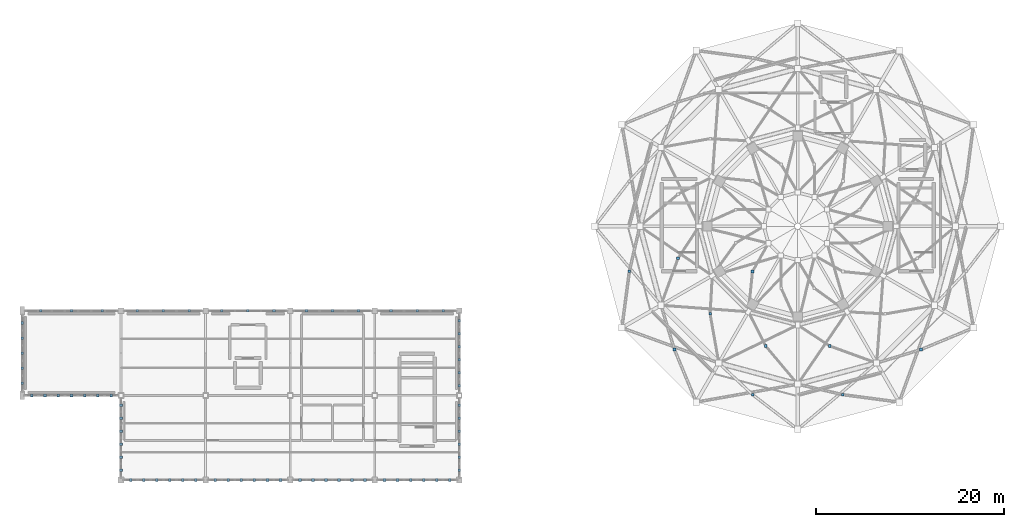
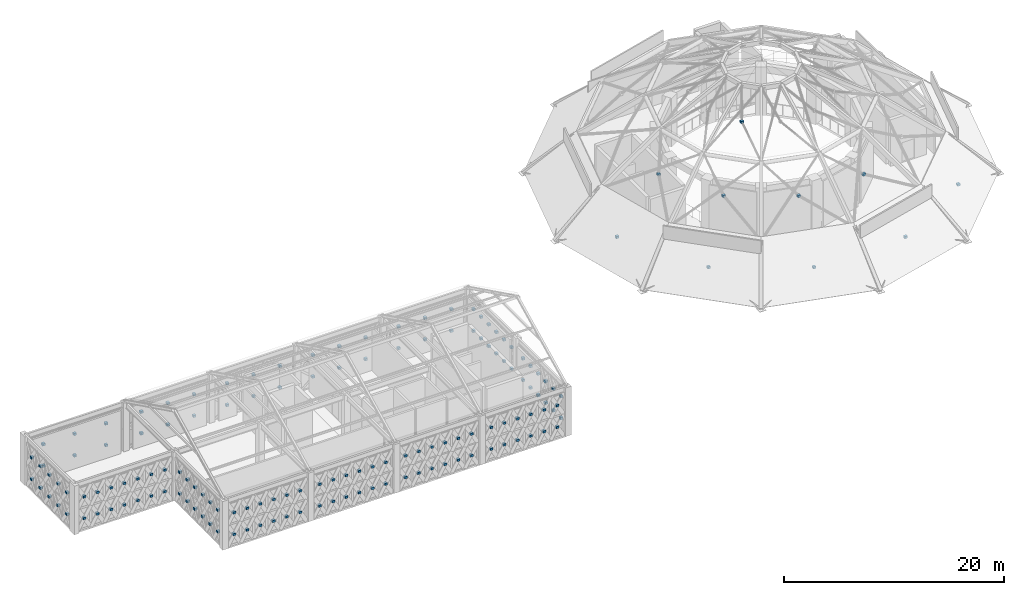
# One storey, part 30 of 32: 148 discrete accessories.
"""IFC4 building model written with IfcOpenShell, lengths in metres."""

import ifcopenshell
import ifcopenshell.guid

model = None  # the IFC model being written
_history = None  # IfcOwnerHistory: only IFC2X3 demands one
_inside = {}  # id of a spatial element -> (the spatial element, [elements in it])
_under = {}  # id of a project, library or spatial element -> (it, [spatial elements below it])
_declared = {}  # id of a project -> (the project, [libraries it declares])
_typed = {}  # id of a type object -> (the type object, [elements of that type])
_made_of = {}  # id of a material, layer set ... -> (it, [elements and type objects made of it])


def new_model(schema):
    """Start an empty IFC model of exactly this schema.

    Asked for "IFC4X3", IfcOpenShell would pick the latest addendum, in which some entities
    have other attributes; the version numbers below select the first issue.
    IFC2X3 requires an IfcOwnerHistory on every rooted entity: one is made here for all.
    """
    global model, _history
    if schema == "IFC4X3":
        model = ifcopenshell.file(schema_version=(4, 3, 0, 0))
    else:
        model = ifcopenshell.file(schema=schema)
    _inside.clear()
    _under.clear()
    _declared.clear()
    _typed.clear()
    _made_of.clear()
    _history = None
    if model.schema == "IFC2X3":
        org = make("IfcOrganization", Name="unknown")
        user = make(
            "IfcPersonAndOrganization",
            ThePerson=make("IfcPerson", FamilyName="unknown"),
            TheOrganization=org,
        )
        app = make(
            "IfcApplication",
            ApplicationDeveloper=org,
            Version="unknown",
            ApplicationFullName="unknown",
            ApplicationIdentifier="unknown",
        )
        _history = make(
            "IfcOwnerHistory",
            OwningUser=user,
            OwningApplication=app,
            ChangeAction="ADDED",
            CreationDate=0,
        )
    return model


def make(cls, **values):
    """One entity of the class cls with the attributes given. An attribute that is None is left unset."""
    return model.create_entity(
        cls, **{name: value for name, value in values.items() if value is not None}
    )


def rooted(cls, **values):
    """An entity with a GlobalId (a new one), such as an element, a storey or a relation."""
    return make(cls, GlobalId=ifcopenshell.guid.new(), OwnerHistory=_history, **values)


def si_unit(unit_type, name, prefix=None):
    """IfcSIUnit, for example si_unit("LENGTHUNIT", "METRE", prefix="MILLI")."""
    return make("IfcSIUnit", UnitType=unit_type, Prefix=prefix, Name=name)


def assignment(units):
    """IfcUnitAssignment: the units of a project."""
    return None if units is None else make("IfcUnitAssignment", Units=units)


def point(xyz):
    """IfcCartesianPoint."""
    return None if xyz is None else make("IfcCartesianPoint", Coordinates=xyz)


def direction(xyz):
    """IfcDirection."""
    return None if xyz is None else make("IfcDirection", DirectionRatios=xyz)


def frame(location, z_axis=None, x_axis=None):
    """IfcAxis2Placement3D, a coordinate frame: its origin and axes. An axis left out is left unset."""
    return make(
        "IfcAxis2Placement3D",
        Location=point(location),
        Axis=direction(z_axis),
        RefDirection=direction(x_axis),
    )


def frame_2d(location, x_axis=None):
    """IfcAxis2Placement2D, a coordinate frame in the plane: its origin and x axis."""
    return make(
        "IfcAxis2Placement2D", Location=point(location), RefDirection=direction(x_axis)
    )


def origin():
    """The frame at (0, 0, 0) with its axes left unset."""
    return frame((0.0, 0.0, 0.0))


def origin_2d():
    """The frame at (0, 0) in the plane with its x axis left unset."""
    return frame_2d((0.0, 0.0))


def place(relative_to, where):
    """IfcLocalPlacement: puts the frame where relative to a parent placement (None: the world)."""
    return make(
        "IfcLocalPlacement", PlacementRelTo=relative_to, RelativePlacement=where
    )


def context(
    kind, dimensions, precision=None, world=None, true_north=None, identifier=None
):
    """IfcGeometricRepresentationContext, for example the 3D "Model" context."""
    return make(
        "IfcGeometricRepresentationContext",
        ContextIdentifier=identifier,
        ContextType=kind,
        CoordinateSpaceDimension=dimensions,
        Precision=precision,
        WorldCoordinateSystem=world,
        TrueNorth=true_north,
    )


def subcontext(parent, identifier, kind, view, scale=None):
    """IfcGeometricRepresentationSubContext, for example "Body" below "Model"."""
    return make(
        "IfcGeometricRepresentationSubContext",
        ContextIdentifier=identifier,
        ContextType=kind,
        ParentContext=parent,
        TargetScale=scale,
        TargetView=view,
    )


def project(units=None, contexts=None):
    """IfcProject with its units and contexts."""
    return rooted(
        "IfcProject",
        Name="project",
        RepresentationContexts=contexts,
        UnitsInContext=assignment(units),
    )


def spatial(cls, under=None, at=None, **own):
    """A site, building, storey or space (cls), placed at a placement, below another one or the project."""
    s = rooted(cls, ObjectPlacement=at, **own)
    if under is not None:
        _under.setdefault(under.id(), (under, []))[1].append(s)
    return s


def profile(cls, at=None, kind="AREA", **sizes):
    """A parametric profile (cls). Its sizes go by their IFC names, for example OverallWidth=200.0."""
    return make(cls, ProfileType=kind, Position=at, **sizes)


def rectangle(**sizes):
    """IfcRectangleProfileDef."""
    return profile("IfcRectangleProfileDef", **sizes)


def extrude(swept, where, along, depth):
    """IfcExtrudedAreaSolid: the profile swept, set in the frame where, extruded along a direction by depth."""
    return make(
        "IfcExtrudedAreaSolid",
        SweptArea=swept,
        Position=where,
        ExtrudedDirection=direction(along),
        Depth=depth,
    )


def shape(context_of_items, identifier, shape_type, items):
    """IfcShapeRepresentation: the items that make up one representation, for example the "Body"."""
    return make(
        "IfcShapeRepresentation",
        ContextOfItems=context_of_items,
        RepresentationIdentifier=identifier,
        RepresentationType=shape_type,
        Items=items,
    )


def material(Name=None, Category=None):
    """IfcMaterial."""
    return make("IfcMaterial", Name=Name, Category=Category)


def made_of(thing, what):
    """Note that an element or type object is made of a material, layer set ...; save() writes the relation."""
    if what is not None:
        _made_of.setdefault(what.id(), (what, []))[1].append(thing)
    return thing


def type_object(cls, material=None, **own):
    """A type object (cls), such as IfcWallType, which elements share."""
    return made_of(rooted(cls, **own), material)


def element(
    cls,
    number,
    at=None,
    inside=None,
    cuts=None,
    type_object=None,
    material=None,
    context=None,
    identifier="Body",
    shape_type=None,
    held_by="IfcProductDefinitionShape",
    body=None,
    shapes=None,
    **own,
):
    """One element of the class cls, such as IfcWall. Its Tag is "e" and its number.

    at: its placement. inside: the storey or other place that contains it. cuts: it is an
    opening in that element (IfcRelVoidsElement). A single representation is given by context,
    identifier, shape_type and body (its items); several are given by shapes. held_by: the class
    of the entity that holds the representations. save() writes the other relations.
    """
    e = rooted(cls, Tag="e%d" % number, ObjectPlacement=at, **own)
    if body is not None:
        shapes = [shape(context, identifier, shape_type, body)]
    if shapes is not None:
        e.Representation = make(held_by, Representations=shapes)
    if inside is not None:
        _inside.setdefault(inside.id(), (inside, []))[1].append(e)
    if cuts is not None:
        rooted(
            "IfcRelVoidsElement", RelatingBuildingElement=cuts, RelatedOpeningElement=e
        )
    if type_object is not None:
        _typed.setdefault(type_object.id(), (type_object, []))[1].append(e)
    return made_of(e, material)


def aggregate(whole, parts):
    """IfcRelAggregates: a whole, such as a stair, and the parts it consists of."""
    return rooted("IfcRelAggregates", RelatingObject=whole, RelatedObjects=parts)


def save(model, path):
    """Write the relations noted so far, then the file.

    IfcRelAggregates (storeys below a building ...), IfcRelContainedInSpatialStructure (elements
    in a storey), IfcRelDefinesByType, IfcRelAssociatesMaterial and IfcRelDeclares: one each for
    every whole, place, type object, material and project.
    """
    for whole, parts in _under.values():
        aggregate(whole, parts)
    for where, things in _inside.values():
        rooted(
            "IfcRelContainedInSpatialStructure",
            RelatedElements=things,
            RelatingStructure=where,
        )
    for kind, things in _typed.values():
        rooted("IfcRelDefinesByType", RelatedObjects=things, RelatingType=kind)
    for what, things in _made_of.values():
        rooted("IfcRelAssociatesMaterial", RelatedObjects=things, RelatingMaterial=what)
    for by, libraries in _declared.values():
        rooted("IfcRelDeclares", RelatingContext=by, RelatedDefinitions=libraries)
    model.write(path)


model = new_model("IFC4")

# Units and contexts
model_context = context("Model", 3, precision=1e-05, world=origin(), true_north=direction((0.0, 1.0)))
body_context = subcontext(model_context, "Body", "Model", "MODEL_VIEW")
ifc_project = project(units=[si_unit("LENGTHUNIT", "METRE"), si_unit("AREAUNIT", "SQUARE_METRE"), si_unit("VOLUMEUNIT", "CUBIC_METRE"), si_unit("PLANEANGLEUNIT", "RADIAN"), si_unit("MASSUNIT", "GRAM", prefix="KILO")], contexts=[model_context])

# Site, building, storey
site_placement = place(None, origin())
site = spatial("IfcSite", under=ifc_project, at=site_placement, CompositionType="ELEMENT")
building_placement = place(site_placement, origin())
building = spatial("IfcBuilding", under=site, at=building_placement, Name="Haizhuo Lancet Aquarium", CompositionType="ELEMENT")
storey_placement = place(building_placement, frame((0.0, 0.0, 27.0)))
storey = spatial("IfcBuildingStorey", under=building, at=storey_placement, Name="L05", CompositionType="ELEMENT", Elevation=27.0)

# Discrete accessories
ifc_material = material(Name="Steel S355", Category="steel")
discrete_accessory_type = type_object("IfcDiscreteAccessoryType", Name="ACC-END-CAP", PredefinedType="BRACKET", material=ifc_material)
for number, where, z_axis, x_axis, name in (
    (1, (-17.9140625, -4.800048828125, 2.0048828125), (0.0, 0.0, 1.0), (1.0, 0.0, 0.0), "L05 X-brace crossing gusset plate XN-MEM-L05-DOME-BRC2A-T1-07"),
    (2, (-13.114013671875, -13.114013671875, 2.0048828125), (0.0, 0.0, 1.0), (1.0, 0.0, 0.0), "L05 X-brace crossing gusset plate XN-MEM-L05-DOME-BRC2A-T1-08"),
    (3, (-4.800048828125, -17.9140625, 2.0048828125), (0.0, 0.0, 1.0), (1.0, 0.0, 0.0), "L05 X-brace crossing gusset plate XN-MEM-L05-DOME-BRC2A-T1-09"),
    (4, (4.800048828125, -17.9140625, 2.0048828125), (0.0, 0.0, 1.0), (1.0, 0.0, 0.0), "L05 X-brace crossing gusset plate XN-MEM-L05-DOME-BRC2A-T1-10"),
    (5, (13.114013671875, -13.114013671875, 2.0048828125), (0.0, 0.0, 1.0), (1.0, 0.0, 0.0), "L05 X-brace crossing gusset plate XN-MEM-L05-DOME-BRC2A-T1-11"),
    (6, (-12.736083984375, -3.4130859375, 6.30517578125), (0.0, 0.0, 1.0), (1.0, 0.0, 0.0), "L05 X-brace crossing gusset plate XN-MEM-L05-DOME-BRC2A-T2-07"),
    (7, (-9.322998046875, -9.322998046875, 6.30517578125), (0.0, 0.0, 1.0), (1.0, 0.0, 0.0), "L05 X-brace crossing gusset plate XN-MEM-L05-DOME-BRC2A-T2-08"),
    (8, (-3.4130859375, -12.736083984375, 6.30517578125), (0.0, 0.0, 1.0), (1.0, 0.0, 0.0), "L05 X-brace crossing gusset plate XN-MEM-L05-DOME-BRC2A-T2-09"),
    (9, (3.4130859375, -12.736083984375, 6.30517578125), (0.0, 0.0, 1.0), (1.0, 0.0, 0.0), "L05 X-brace crossing gusset plate XN-MEM-L05-DOME-BRC2A-T2-10"),
    (10, (-4.81494140625, -4.81494140625, 10.205078125), (0.0, 0.0, 1.0), (1.0, 0.0, 0.0), "L05 X-brace crossing gusset plate XN-MEM-L05-DOME-BRC2A-T3-08"),
    (11, (-73.049072265625, -18.0, 1.080078125), (0.0, 0.0, 1.0), (1.0, 0.0, 0.0), "L05 X-brace crossing gusset plate XN-CW-V6-L05-258-LB01B1"),
    (12, (-73.049072265625, -18.0, 3.47998046875), (0.0, 0.0, 1.0), (1.0, 0.0, 0.0), "L05 X-brace crossing gusset plate XN-CW-V6-L05-258-LB02B1"),
    (13, (-74.4580078125, -18.0, 1.080078125), (0.0, 0.0, 1.0), (1.0, 0.0, 0.0), "L05 X-brace crossing gusset plate XN-CW-V6-L05-258-LB03B1"),
    (14, (-74.4580078125, -18.0, 3.47998046875), (0.0, 0.0, 1.0), (1.0, 0.0, 0.0), "L05 X-brace crossing gusset plate XN-CW-V6-L05-258-LB04B1"),
    (15, (-75.866943359375, -18.0, 1.080078125), (0.0, 0.0, 1.0), (1.0, 0.0, 0.0), "L05 X-brace crossing gusset plate XN-CW-V6-L05-258-LB05B1"),
    (16, (-75.866943359375, -18.0, 3.47998046875), (0.0, 0.0, 1.0), (1.0, 0.0, 0.0), "L05 X-brace crossing gusset plate XN-CW-V6-L05-258-LB06B1"),
    (17, (-77.27490234375, -18.0, 1.080078125), (0.0, 0.0, 1.0), (1.0, 0.0, 0.0), "L05 X-brace crossing gusset plate XN-CW-V6-L05-258-LB07B1"),
    (18, (-77.27490234375, -18.0, 3.47998046875), (0.0, 0.0, 1.0), (1.0, 0.0, 0.0), "L05 X-brace crossing gusset plate XN-CW-V6-L05-258-LB08B1"),
    (19, (-78.68408203125, -18.0, 1.080078125), (0.0, 0.0, 1.0), (1.0, 0.0, 0.0), "L05 X-brace crossing gusset plate XN-CW-V6-L05-258-LB09B1"),
    (20, (-78.68408203125, -18.0, 3.47998046875), (0.0, 0.0, 1.0), (1.0, 0.0, 0.0), "L05 X-brace crossing gusset plate XN-CW-V6-L05-258-LB10B1"),
    (21, (-80.092041015625, -18.0, 1.080078125), (0.0, 0.0, 1.0), (1.0, 0.0, 0.0), "L05 X-brace crossing gusset plate XN-CW-V6-L05-258-LB11B1"),
    (22, (-80.092041015625, -18.0, 3.47998046875), (0.0, 0.0, 1.0), (1.0, 0.0, 0.0), "L05 X-brace crossing gusset plate XN-CW-V6-L05-258-LB12B1"),
    (23, (-81.5009765625, -18.0, 1.080078125), (0.0, 0.0, 1.0), (1.0, 0.0, 0.0), "L05 X-brace crossing gusset plate XN-CW-V6-L05-258-LB13B1"),
    (24, (-81.5009765625, -18.0, 3.47998046875), (0.0, 0.0, 1.0), (1.0, 0.0, 0.0), "L05 X-brace crossing gusset plate XN-CW-V6-L05-258-LB14B1"),
    (25, (-82.5, -16.7041015625, 1.080078125), (0.0, 0.0, 1.0), (1.0, 0.0, 0.0), "L05 X-brace crossing gusset plate XN-CW-V6-L05-259-LB01B1"),
    (26, (-82.5, -16.7041015625, 3.47998046875), (0.0, 0.0, 1.0), (1.0, 0.0, 0.0), "L05 X-brace crossing gusset plate XN-CW-V6-L05-259-LB02B1"),
    (27, (-82.5, -15.10205078125, 1.080078125), (0.0, 0.0, 1.0), (1.0, 0.0, 0.0), "L05 X-brace crossing gusset plate XN-CW-V6-L05-259-LB03B1"),
    (28, (-82.5, -15.10205078125, 3.47998046875), (0.0, 0.0, 1.0), (1.0, 0.0, 0.0), "L05 X-brace crossing gusset plate XN-CW-V6-L05-259-LB04B1"),
    (29, (-82.5, -13.5, 1.080078125), (0.0, 0.0, 1.0), (1.0, 0.0, 0.0), "L05 X-brace crossing gusset plate XN-CW-V6-L05-259-LB05B1"),
    (30, (-82.5, -13.5, 3.47998046875), (0.0, 0.0, 1.0), (1.0, 0.0, 0.0), "L05 X-brace crossing gusset plate XN-CW-V6-L05-259-LB06B1"),
    (31, (-82.5, -11.89794921875, 1.080078125), (0.0, 0.0, 1.0), (1.0, 0.0, 0.0), "L05 X-brace crossing gusset plate XN-CW-V6-L05-259-LB07B1"),
    (32, (-82.5, -11.89794921875, 3.47998046875), (0.0, 0.0, 1.0), (1.0, 0.0, 0.0), "L05 X-brace crossing gusset plate XN-CW-V6-L05-259-LB08B1"),
    (33, (-82.5, -10.2958984375, 1.080078125), (0.0, 0.0, 1.0), (1.0, 0.0, 0.0), "L05 X-brace crossing gusset plate XN-CW-V6-L05-259-LB09B1"),
    (34, (-82.5, -10.2958984375, 3.47998046875), (0.0, 0.0, 1.0), (1.0, 0.0, 0.0), "L05 X-brace crossing gusset plate XN-CW-V6-L05-259-LB10B1"),
    (35, (-80.56103515625, -9.0, 1.080078125), (0.0, 0.0, 1.0), (1.0, 0.0, 0.0), "L05 X-brace crossing gusset plate XN-CW-V6-L05-260-LB01B1"),
    (36, (-80.56103515625, -9.0, 3.47998046875), (0.0, 0.0, 1.0), (1.0, 0.0, 0.0), "L05 X-brace crossing gusset plate XN-CW-V6-L05-260-LB02B1"),
    (37, (-77.27490234375, -9.0, 1.080078125), (0.0, 0.0, 1.0), (1.0, 0.0, 0.0), "L05 X-brace crossing gusset plate XN-CW-V6-L05-260-LB03B1"),
    (38, (-77.27490234375, -9.0, 3.47998046875), (0.0, 0.0, 1.0), (1.0, 0.0, 0.0), "L05 X-brace crossing gusset plate XN-CW-V6-L05-260-LB04B1"),
    (39, (-73.989013671875, -9.0, 1.080078125), (0.0, 0.0, 1.0), (1.0, 0.0, 0.0), "L05 X-brace crossing gusset plate XN-CW-V6-L05-260-LB05B1"),
    (40, (-73.989013671875, -9.0, 3.47998046875), (0.0, 0.0, 1.0), (1.0, 0.0, 0.0), "L05 X-brace crossing gusset plate XN-CW-V6-L05-260-LB06B1"),
    (41, (-70.27001953125, -9.0, 1.080078125), (0.0, 0.0, 1.0), (1.0, 0.0, 0.0), "L05 X-brace crossing gusset plate XN-CW-V6-L05-261-LB01B1"),
    (42, (-70.27001953125, -9.0, 3.47998046875), (0.0, 0.0, 1.0), (1.0, 0.0, 0.0), "L05 X-brace crossing gusset plate XN-CW-V6-L05-261-LB02B1"),
    (43, (-67.5, -9.0, 1.080078125), (0.0, 0.0, 1.0), (1.0, 0.0, 0.0), "L05 X-brace crossing gusset plate XN-CW-V6-L05-261-LB03B1"),
    (44, (-67.5, -9.0, 3.47998046875), (0.0, 0.0, 1.0), (1.0, 0.0, 0.0), "L05 X-brace crossing gusset plate XN-CW-V6-L05-261-LB04B1"),
    (45, (-64.72998046875, -9.0, 1.080078125), (0.0, 0.0, 1.0), (1.0, 0.0, 0.0), "L05 X-brace crossing gusset plate XN-CW-V6-L05-261-LB05B1"),
    (46, (-64.72998046875, -9.0, 3.47998046875), (0.0, 0.0, 1.0), (1.0, 0.0, 0.0), "L05 X-brace crossing gusset plate XN-CW-V6-L05-261-LB06B1"),
    (47, (-61.27001953125, -9.0, 1.080078125), (0.0, 0.0, 1.0), (1.0, 0.0, 0.0), "L05 X-brace crossing gusset plate XN-CW-V6-L05-262-LB01B1"),
    (48, (-61.27001953125, -9.0, 3.47998046875), (0.0, 0.0, 1.0), (1.0, 0.0, 0.0), "L05 X-brace crossing gusset plate XN-CW-V6-L05-262-LB02B1"),
    (49, (-58.5, -9.0, 1.080078125), (0.0, 0.0, 1.0), (1.0, 0.0, 0.0), "L05 X-brace crossing gusset plate XN-CW-V6-L05-262-LB03B1"),
    (50, (-58.5, -9.0, 3.47998046875), (0.0, 0.0, 1.0), (1.0, 0.0, 0.0), "L05 X-brace crossing gusset plate XN-CW-V6-L05-262-LB04B1"),
    (51, (-55.72998046875, -9.0, 1.080078125), (0.0, 0.0, 1.0), (1.0, 0.0, 0.0), "L05 X-brace crossing gusset plate XN-CW-V6-L05-262-LB05B1"),
    (52, (-55.72998046875, -9.0, 3.47998046875), (0.0, 0.0, 1.0), (1.0, 0.0, 0.0), "L05 X-brace crossing gusset plate XN-CW-V6-L05-262-LB06B1"),
    (53, (-52.27001953125, -9.0, 1.080078125), (0.0, 0.0, 1.0), (1.0, 0.0, 0.0), "L05 X-brace crossing gusset plate XN-CW-V6-L05-263-LB01B1"),
    (54, (-52.27001953125, -9.0, 3.47998046875), (0.0, 0.0, 1.0), (1.0, 0.0, 0.0), "L05 X-brace crossing gusset plate XN-CW-V6-L05-263-LB02B1"),
    (55, (-49.5, -9.0, 1.080078125), (0.0, 0.0, 1.0), (1.0, 0.0, 0.0), "L05 X-brace crossing gusset plate XN-CW-V6-L05-263-LB03B1"),
    (56, (-49.5, -9.0, 3.47998046875), (0.0, 0.0, 1.0), (1.0, 0.0, 0.0), "L05 X-brace crossing gusset plate XN-CW-V6-L05-263-LB04B1"),
    (57, (-46.72998046875, -9.0, 1.080078125), (0.0, 0.0, 1.0), (1.0, 0.0, 0.0), "L05 X-brace crossing gusset plate XN-CW-V6-L05-263-LB05B1"),
    (58, (-46.72998046875, -9.0, 3.47998046875), (0.0, 0.0, 1.0), (1.0, 0.0, 0.0), "L05 X-brace crossing gusset plate XN-CW-V6-L05-263-LB06B1"),
    (59, (-43.27001953125, -9.0, 1.080078125), (0.0, 0.0, 1.0), (1.0, 0.0, 0.0), "L05 X-brace crossing gusset plate XN-CW-V6-L05-264-LB01B1"),
    (60, (-43.27001953125, -9.0, 3.47998046875), (0.0, 0.0, 1.0), (1.0, 0.0, 0.0), "L05 X-brace crossing gusset plate XN-CW-V6-L05-264-LB02B1"),
    (61, (-40.5, -9.0, 1.080078125), (0.0, 0.0, 1.0), (1.0, 0.0, 0.0), "L05 X-brace crossing gusset plate XN-CW-V6-L05-264-LB03B1"),
    (62, (-40.5, -9.0, 3.47998046875), (0.0, 0.0, 1.0), (1.0, 0.0, 0.0), "L05 X-brace crossing gusset plate XN-CW-V6-L05-264-LB04B1"),
    (63, (-37.72998046875, -9.0, 1.080078125), (0.0, 0.0, 1.0), (1.0, 0.0, 0.0), "L05 X-brace crossing gusset plate XN-CW-V6-L05-264-LB05B1"),
    (64, (-37.72998046875, -9.0, 3.47998046875), (0.0, 0.0, 1.0), (1.0, 0.0, 0.0), "L05 X-brace crossing gusset plate XN-CW-V6-L05-264-LB06B1"),
    (65, (-36.0, -10.0380859375, 1.080078125), (0.0, 0.0, 1.0), (1.0, 0.0, 0.0), "L05 X-brace crossing gusset plate XN-CW-V6-L05-265-LB01B1"),
    (66, (-36.0, -10.0380859375, 3.47998046875), (0.0, 0.0, 1.0), (1.0, 0.0, 0.0), "L05 X-brace crossing gusset plate XN-CW-V6-L05-265-LB02B1"),
    (67, (-36.0, -11.422119140625, 1.080078125), (0.0, 0.0, 1.0), (1.0, 0.0, 0.0), "L05 X-brace crossing gusset plate XN-CW-V6-L05-265-LB03B1"),
    (68, (-36.0, -11.422119140625, 3.47998046875), (0.0, 0.0, 1.0), (1.0, 0.0, 0.0), "L05 X-brace crossing gusset plate XN-CW-V6-L05-265-LB04B1"),
    (69, (-36.0, -12.80810546875, 1.080078125), (0.0, 0.0, 1.0), (1.0, 0.0, 0.0), "L05 X-brace crossing gusset plate XN-CW-V6-L05-265-LB05B1"),
    (70, (-36.0, -12.80810546875, 3.47998046875), (0.0, 0.0, 1.0), (1.0, 0.0, 0.0), "L05 X-brace crossing gusset plate XN-CW-V6-L05-265-LB06B1"),
    (71, (-36.0, -14.19189453125, 1.080078125), (0.0, 0.0, 1.0), (1.0, 0.0, 0.0), "L05 X-brace crossing gusset plate XN-CW-V6-L05-265-LB07B1"),
    (72, (-36.0, -14.19189453125, 3.47998046875), (0.0, 0.0, 1.0), (1.0, 0.0, 0.0), "L05 X-brace crossing gusset plate XN-CW-V6-L05-265-LB08B1"),
    (73, (-36.0, -15.577880859375, 1.080078125), (0.0, 0.0, 1.0), (1.0, 0.0, 0.0), "L05 X-brace crossing gusset plate XN-CW-V6-L05-265-LB09B1"),
    (74, (-36.0, -15.577880859375, 3.47998046875), (0.0, 0.0, 1.0), (1.0, 0.0, 0.0), "L05 X-brace crossing gusset plate XN-CW-V6-L05-265-LB10B1"),
    (75, (-36.0, -16.9619140625, 1.080078125), (0.0, 0.0, 1.0), (1.0, 0.0, 0.0), "L05 X-brace crossing gusset plate XN-CW-V6-L05-265-LB11B1"),
    (76, (-36.0, -16.9619140625, 3.47998046875), (0.0, 0.0, 1.0), (1.0, 0.0, 0.0), "L05 X-brace crossing gusset plate XN-CW-V6-L05-265-LB12B1"),
    (77, (-36.0, -19.0380859375, 1.080078125), (0.0, 0.0, 1.0), (1.0, 0.0, 0.0), "L05 X-brace crossing gusset plate XN-CW-V6-L05-266-LB01B1"),
    (78, (-36.0, -19.0380859375, 3.47998046875), (0.0, 0.0, 1.0), (1.0, 0.0, 0.0), "L05 X-brace crossing gusset plate XN-CW-V6-L05-266-LB02B1"),
    (79, (-36.0, -20.422119140625, 1.080078125), (0.0, 0.0, 1.0), (1.0, 0.0, 0.0), "L05 X-brace crossing gusset plate XN-CW-V6-L05-266-LB03B1"),
    (80, (-36.0, -20.422119140625, 3.47998046875), (0.0, 0.0, 1.0), (1.0, 0.0, 0.0), "L05 X-brace crossing gusset plate XN-CW-V6-L05-266-LB04B1"),
    (81, (-36.0, -21.806884765625, 1.080078125), (0.0, 0.0, 1.0), (1.0, 0.0, 0.0), "L05 X-brace crossing gusset plate XN-CW-V6-L05-266-LB05B1"),
    (82, (-36.0, -21.806884765625, 3.47998046875), (0.0, 0.0, 1.0), (1.0, 0.0, 0.0), "L05 X-brace crossing gusset plate XN-CW-V6-L05-266-LB06B1"),
    (83, (-36.0, -23.193115234375, 1.080078125), (0.0, 0.0, 1.0), (1.0, 0.0, 0.0), "L05 X-brace crossing gusset plate XN-CW-V6-L05-266-LB07B1"),
    (84, (-36.0, -23.193115234375, 3.47998046875), (0.0, 0.0, 1.0), (1.0, 0.0, 0.0), "L05 X-brace crossing gusset plate XN-CW-V6-L05-266-LB08B1"),
    (85, (-36.0, -24.577880859375, 1.080078125), (0.0, 0.0, 1.0), (1.0, 0.0, 0.0), "L05 X-brace crossing gusset plate XN-CW-V6-L05-266-LB09B1"),
    (86, (-36.0, -24.577880859375, 3.47998046875), (0.0, 0.0, 1.0), (1.0, 0.0, 0.0), "L05 X-brace crossing gusset plate XN-CW-V6-L05-266-LB10B1"),
    (87, (-36.0, -25.9619140625, 1.080078125), (0.0, 0.0, 1.0), (1.0, 0.0, 0.0), "L05 X-brace crossing gusset plate XN-CW-V6-L05-266-LB11B1"),
    (88, (-36.0, -25.9619140625, 3.47998046875), (0.0, 0.0, 1.0), (1.0, 0.0, 0.0), "L05 X-brace crossing gusset plate XN-CW-V6-L05-266-LB12B1"),
    (89, (-37.037109375, -27.0, 1.080078125), (0.0, 0.0, 1.0), (1.0, 0.0, 0.0), "L05 X-brace crossing gusset plate XN-CW-V6-L05-267-LB01B1"),
    (90, (-37.037109375, -27.0, 3.47998046875), (0.0, 0.0, 1.0), (1.0, 0.0, 0.0), "L05 X-brace crossing gusset plate XN-CW-V6-L05-267-LB02B1"),
    (91, (-38.422119140625, -27.0, 1.080078125), (0.0, 0.0, 1.0), (1.0, 0.0, 0.0), "L05 X-brace crossing gusset plate XN-CW-V6-L05-267-LB03B1"),
    (92, (-38.422119140625, -27.0, 3.47998046875), (0.0, 0.0, 1.0), (1.0, 0.0, 0.0), "L05 X-brace crossing gusset plate XN-CW-V6-L05-267-LB04B1"),
    (93, (-39.80810546875, -27.0, 1.080078125), (0.0, 0.0, 1.0), (1.0, 0.0, 0.0), "L05 X-brace crossing gusset plate XN-CW-V6-L05-267-LB05B1"),
    (94, (-39.80810546875, -27.0, 3.47998046875), (0.0, 0.0, 1.0), (1.0, 0.0, 0.0), "L05 X-brace crossing gusset plate XN-CW-V6-L05-267-LB06B1"),
    (95, (-41.19189453125, -27.0, 1.080078125), (0.0, 0.0, 1.0), (1.0, 0.0, 0.0), "L05 X-brace crossing gusset plate XN-CW-V6-L05-267-LB07B1"),
    (96, (-41.19189453125, -27.0, 3.47998046875), (0.0, 0.0, 1.0), (1.0, 0.0, 0.0), "L05 X-brace crossing gusset plate XN-CW-V6-L05-267-LB08B1"),
    (97, (-42.577880859375, -27.0, 1.080078125), (0.0, 0.0, 1.0), (1.0, 0.0, 0.0), "L05 X-brace crossing gusset plate XN-CW-V6-L05-267-LB09B1"),
    (98, (-42.577880859375, -27.0, 3.47998046875), (0.0, 0.0, 1.0), (1.0, 0.0, 0.0), "L05 X-brace crossing gusset plate XN-CW-V6-L05-267-LB10B1"),
    (99, (-43.962890625, -27.0, 1.080078125), (0.0, 0.0, 1.0), (1.0, 0.0, 0.0), "L05 X-brace crossing gusset plate XN-CW-V6-L05-267-LB11B1"),
    (100, (-43.962890625, -27.0, 3.47998046875), (0.0, 0.0, 1.0), (1.0, 0.0, 0.0), "L05 X-brace crossing gusset plate XN-CW-V6-L05-267-LB12B1"),
    (101, (-46.037109375, -27.0, 1.080078125), (0.0, 0.0, 1.0), (1.0, 0.0, 0.0), "L05 X-brace crossing gusset plate XN-CW-V6-L05-268-LB01B1"),
    (102, (-46.037109375, -27.0, 3.47998046875), (0.0, 0.0, 1.0), (1.0, 0.0, 0.0), "L05 X-brace crossing gusset plate XN-CW-V6-L05-268-LB02B1"),
    (103, (-47.422119140625, -27.0, 1.080078125), (0.0, 0.0, 1.0), (1.0, 0.0, 0.0), "L05 X-brace crossing gusset plate XN-CW-V6-L05-268-LB03B1"),
    (104, (-47.422119140625, -27.0, 3.47998046875), (0.0, 0.0, 1.0), (1.0, 0.0, 0.0), "L05 X-brace crossing gusset plate XN-CW-V6-L05-268-LB04B1"),
    (105, (-48.80810546875, -27.0, 1.080078125), (0.0, 0.0, 1.0), (1.0, 0.0, 0.0), "L05 X-brace crossing gusset plate XN-CW-V6-L05-268-LB05B1"),
    (106, (-48.80810546875, -27.0, 3.47998046875), (0.0, 0.0, 1.0), (1.0, 0.0, 0.0), "L05 X-brace crossing gusset plate XN-CW-V6-L05-268-LB06B1"),
    (107, (-50.19189453125, -27.0, 1.080078125), (0.0, 0.0, 1.0), (1.0, 0.0, 0.0), "L05 X-brace crossing gusset plate XN-CW-V6-L05-268-LB07B1"),
    (108, (-50.19189453125, -27.0, 3.47998046875), (0.0, 0.0, 1.0), (1.0, 0.0, 0.0), "L05 X-brace crossing gusset plate XN-CW-V6-L05-268-LB08B1"),
    (109, (-51.577880859375, -27.0, 1.080078125), (0.0, 0.0, 1.0), (1.0, 0.0, 0.0), "L05 X-brace crossing gusset plate XN-CW-V6-L05-268-LB09B1"),
    (110, (-51.577880859375, -27.0, 3.47998046875), (0.0, 0.0, 1.0), (1.0, 0.0, 0.0), "L05 X-brace crossing gusset plate XN-CW-V6-L05-268-LB10B1"),
    (111, (-52.962890625, -27.0, 1.080078125), (0.0, 0.0, 1.0), (1.0, 0.0, 0.0), "L05 X-brace crossing gusset plate XN-CW-V6-L05-268-LB11B1"),
    (112, (-52.962890625, -27.0, 3.47998046875), (0.0, 0.0, 1.0), (1.0, 0.0, 0.0), "L05 X-brace crossing gusset plate XN-CW-V6-L05-268-LB12B1"),
    (113, (-55.037109375, -27.0, 1.080078125), (0.0, 0.0, 1.0), (1.0, 0.0, 0.0), "L05 X-brace crossing gusset plate XN-CW-V6-L05-269-LB01B1"),
    (114, (-55.037109375, -27.0, 3.47998046875), (0.0, 0.0, 1.0), (1.0, 0.0, 0.0), "L05 X-brace crossing gusset plate XN-CW-V6-L05-269-LB02B1"),
    (115, (-56.422119140625, -27.0, 1.080078125), (0.0, 0.0, 1.0), (1.0, 0.0, 0.0), "L05 X-brace crossing gusset plate XN-CW-V6-L05-269-LB03B1"),
    (116, (-56.422119140625, -27.0, 3.47998046875), (0.0, 0.0, 1.0), (1.0, 0.0, 0.0), "L05 X-brace crossing gusset plate XN-CW-V6-L05-269-LB04B1"),
    (117, (-57.80810546875, -27.0, 1.080078125), (0.0, 0.0, 1.0), (1.0, 0.0, 0.0), "L05 X-brace crossing gusset plate XN-CW-V6-L05-269-LB05B1"),
    (118, (-57.80810546875, -27.0, 3.47998046875), (0.0, 0.0, 1.0), (1.0, 0.0, 0.0), "L05 X-brace crossing gusset plate XN-CW-V6-L05-269-LB06B1"),
    (119, (-59.19189453125, -27.0, 1.080078125), (0.0, 0.0, 1.0), (1.0, 0.0, 0.0), "L05 X-brace crossing gusset plate XN-CW-V6-L05-269-LB07B1"),
    (120, (-59.19189453125, -27.0, 3.47998046875), (0.0, 0.0, 1.0), (1.0, 0.0, 0.0), "L05 X-brace crossing gusset plate XN-CW-V6-L05-269-LB08B1"),
    (121, (-60.577880859375, -27.0, 1.080078125), (0.0, 0.0, 1.0), (1.0, 0.0, 0.0), "L05 X-brace crossing gusset plate XN-CW-V6-L05-269-LB09B1"),
    (122, (-60.577880859375, -27.0, 3.47998046875), (0.0, 0.0, 1.0), (1.0, 0.0, 0.0), "L05 X-brace crossing gusset plate XN-CW-V6-L05-269-LB10B1"),
    (123, (-61.962890625, -27.0, 1.080078125), (0.0, 0.0, 1.0), (1.0, 0.0, 0.0), "L05 X-brace crossing gusset plate XN-CW-V6-L05-269-LB11B1"),
    (124, (-61.962890625, -27.0, 3.47998046875), (0.0, 0.0, 1.0), (1.0, 0.0, 0.0), "L05 X-brace crossing gusset plate XN-CW-V6-L05-269-LB12B1"),
    (125, (-64.037109375, -27.0, 1.080078125), (0.0, 0.0, 1.0), (1.0, 0.0, 0.0), "L05 X-brace crossing gusset plate XN-CW-V6-L05-270-LB01B1"),
    (126, (-64.037109375, -27.0, 3.47998046875), (0.0, 0.0, 1.0), (1.0, 0.0, 0.0), "L05 X-brace crossing gusset plate XN-CW-V6-L05-270-LB02B1"),
    (127, (-65.422119140625, -27.0, 1.080078125), (0.0, 0.0, 1.0), (1.0, 0.0, 0.0), "L05 X-brace crossing gusset plate XN-CW-V6-L05-270-LB03B1"),
    (128, (-65.422119140625, -27.0, 3.47998046875), (0.0, 0.0, 1.0), (1.0, 0.0, 0.0), "L05 X-brace crossing gusset plate XN-CW-V6-L05-270-LB04B1"),
    (129, (-66.80810546875, -27.0, 1.080078125), (0.0, 0.0, 1.0), (1.0, 0.0, 0.0), "L05 X-brace crossing gusset plate XN-CW-V6-L05-270-LB05B1"),
    (130, (-66.80810546875, -27.0, 3.47998046875), (0.0, 0.0, 1.0), (1.0, 0.0, 0.0), "L05 X-brace crossing gusset plate XN-CW-V6-L05-270-LB06B1"),
    (131, (-68.19189453125, -27.0, 1.080078125), (0.0, 0.0, 1.0), (1.0, 0.0, 0.0), "L05 X-brace crossing gusset plate XN-CW-V6-L05-270-LB07B1"),
    (132, (-68.19189453125, -27.0, 3.47998046875), (0.0, 0.0, 1.0), (1.0, 0.0, 0.0), "L05 X-brace crossing gusset plate XN-CW-V6-L05-270-LB08B1"),
    (133, (-69.577880859375, -27.0, 1.080078125), (0.0, 0.0, 1.0), (1.0, 0.0, 0.0), "L05 X-brace crossing gusset plate XN-CW-V6-L05-270-LB09B1"),
    (134, (-69.577880859375, -27.0, 3.47998046875), (0.0, 0.0, 1.0), (1.0, 0.0, 0.0), "L05 X-brace crossing gusset plate XN-CW-V6-L05-270-LB10B1"),
    (135, (-70.962890625, -27.0, 1.080078125), (0.0, 0.0, 1.0), (1.0, 0.0, 0.0), "L05 X-brace crossing gusset plate XN-CW-V6-L05-270-LB11B1"),
    (136, (-70.962890625, -27.0, 3.47998046875), (0.0, 0.0, 1.0), (1.0, 0.0, 0.0), "L05 X-brace crossing gusset plate XN-CW-V6-L05-270-LB12B1"),
    (137, (-72.0, -25.9619140625, 1.080078125), (0.0, 0.0, 1.0), (1.0, 0.0, 0.0), "L05 X-brace crossing gusset plate XN-CW-V6-L05-271-LB01B1"),
    (138, (-72.0, -25.9619140625, 3.47998046875), (0.0, 0.0, 1.0), (1.0, 0.0, 0.0), "L05 X-brace crossing gusset plate XN-CW-V6-L05-271-LB02B1"),
    (139, (-72.0, -24.577880859375, 1.080078125), (0.0, 0.0, 1.0), (1.0, 0.0, 0.0), "L05 X-brace crossing gusset plate XN-CW-V6-L05-271-LB03B1"),
    (140, (-72.0, -24.577880859375, 3.47998046875), (0.0, 0.0, 1.0), (1.0, 0.0, 0.0), "L05 X-brace crossing gusset plate XN-CW-V6-L05-271-LB04B1"),
    (141, (-72.0, -23.193115234375, 1.080078125), (0.0, 0.0, 1.0), (1.0, 0.0, 0.0), "L05 X-brace crossing gusset plate XN-CW-V6-L05-271-LB05B1"),
    (142, (-72.0, -23.193115234375, 3.47998046875), (0.0, 0.0, 1.0), (1.0, 0.0, 0.0), "L05 X-brace crossing gusset plate XN-CW-V6-L05-271-LB06B1"),
    (143, (-72.0, -21.806884765625, 1.080078125), (0.0, 0.0, 1.0), (1.0, 0.0, 0.0), "L05 X-brace crossing gusset plate XN-CW-V6-L05-271-LB07B1"),
    (144, (-72.0, -21.806884765625, 3.47998046875), (0.0, 0.0, 1.0), (1.0, 0.0, 0.0), "L05 X-brace crossing gusset plate XN-CW-V6-L05-271-LB08B1"),
    (145, (-72.0, -20.422119140625, 1.080078125), (0.0, 0.0, 1.0), (1.0, 0.0, 0.0), "L05 X-brace crossing gusset plate XN-CW-V6-L05-271-LB09B1"),
    (146, (-72.0, -20.422119140625, 3.47998046875), (0.0, 0.0, 1.0), (1.0, 0.0, 0.0), "L05 X-brace crossing gusset plate XN-CW-V6-L05-271-LB10B1"),
    (147, (-72.0, -19.0380859375, 1.080078125), (0.0, 0.0, 1.0), (1.0, 0.0, 0.0), "L05 X-brace crossing gusset plate XN-CW-V6-L05-271-LB11B1"),
    (148, (-72.0, -19.0380859375, 3.47998046875), (0.0, 0.0, 1.0), (1.0, 0.0, 0.0), "L05 X-brace crossing gusset plate XN-CW-V6-L05-271-LB12B1"),
):
    element("IfcDiscreteAccessory", number, at=place(storey_placement, frame(where, z_axis=z_axis, x_axis=x_axis)), inside=storey, type_object=discrete_accessory_type, material=ifc_material, Name=name, PredefinedType="BRACKET", context=body_context, shape_type="SweptSolid", body=[
        extrude(rectangle(XDim=0.280029296875, YDim=0.280029296875, at=origin_2d()), origin(), (0.0, 0.0, 1.0), 0.239990234375),
    ])

save(model, "model.ifc")
